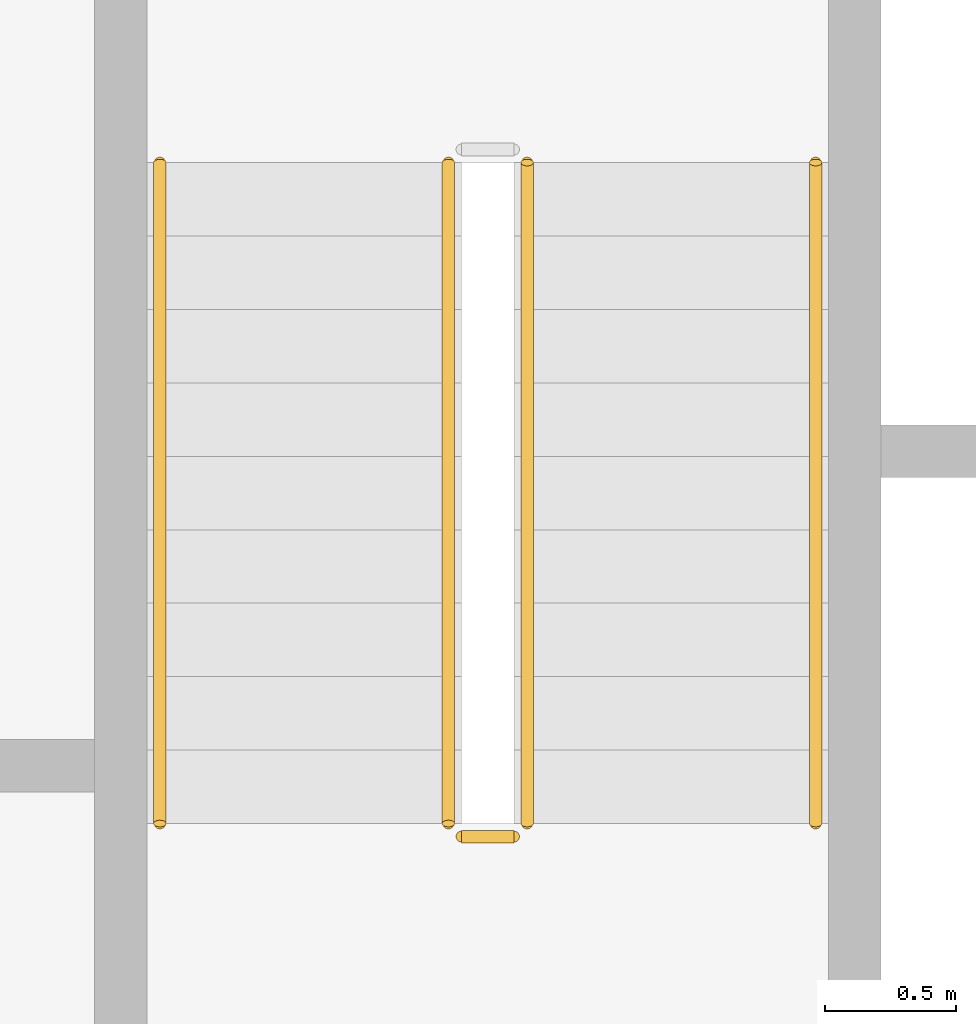
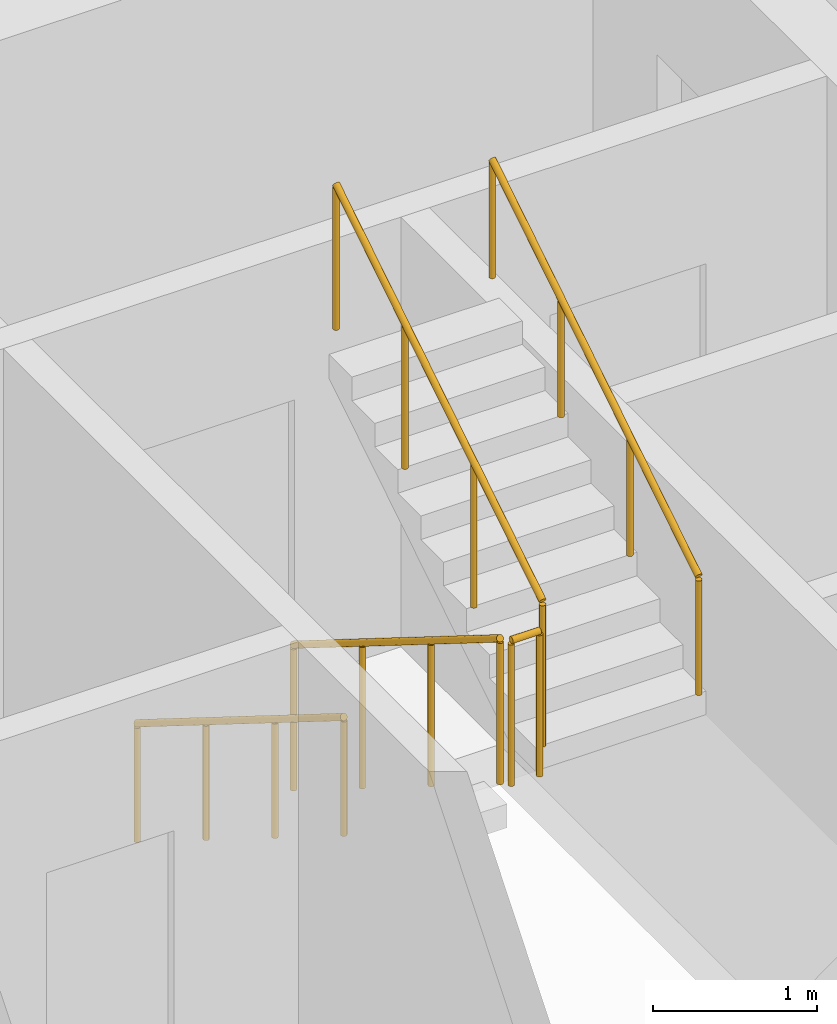
# One storey, part 15 of 22: 5 railings.
"""IFC4 building model written with IfcOpenShell, lengths in metres."""

from ifc_helpers import new_model, si_unit, direction, frame, origin, origin_2d, place, context, subcontext, project, spatial, circle, extrude, material, type_object, element, save


model = new_model("IFC4")

# Units and contexts
model_context = context("Model", 3, precision=1e-05, world=origin(), true_north=direction((0.0, 1.0)))
body_context = subcontext(model_context, "Body", "Model", "MODEL_VIEW")
ifc_project = project(units=[si_unit("LENGTHUNIT", "METRE"), si_unit("AREAUNIT", "SQUARE_METRE"), si_unit("VOLUMEUNIT", "CUBIC_METRE"), si_unit("PLANEANGLEUNIT", "RADIAN"), si_unit("MASSUNIT", "GRAM", prefix="KILO")], contexts=[model_context])

# Site, building, storey
site_placement = place(None, origin())
site = spatial("IfcSite", under=ifc_project, at=site_placement, CompositionType="ELEMENT")
building_placement = place(site_placement, origin())
building = spatial("IfcBuilding", under=site, at=building_placement, Name="Kiln Ring Residences", CompositionType="ELEMENT")
storey_placement = place(building_placement, frame((0.0, 0.0, 160.60009765625)))
storey = spatial("IfcBuildingStorey", under=building, at=storey_placement, Name="L41", CompositionType="ELEMENT", Elevation=160.60009765625)

# Railings
ifc_material_1 = material(Name="Stainless steel", Category="steel")
railing_type_1 = type_object("IfcRailingType", Name="CORE-STAIR-GUARD", PredefinedType="GUARDRAIL", material=ifc_material_1)
railing_1_placement = place(storey_placement, frame((-22.25, 8.39990234375, 0.1748046875)))
element("IfcRailing", 1, at=railing_1_placement, inside=storey, type_object=railing_type_1, Name="L41 W-STN stair guard 1", PredefinedType="GUARDRAIL", context=body_context, shape_type="SweptSolid", body=[
    extrude(circle(Radius=0.02392578125, at=origin_2d()), frame((0.0, 0.0, 1.076171875), z_axis=(0.0, -0.847970611238, 0.530043245855), x_axis=(1.0, 0.0, 0.0)), (0.0, 0.0, 1.0), 2.971923828125),
    extrude(circle(Radius=0.02099609375, at=origin_2d()), origin(), (0.0, 0.0, 1.0), 1.052001953125),
    extrude(circle(Radius=0.02099609375, at=origin_2d()), frame((0.0, -0.840087890625, 0.525146484375)), (0.0, 0.0, 1.0), 1.052001953125),
    extrude(circle(Radius=0.02099609375, at=origin_2d()), frame((0.0, -1.679931640625, 1.050048828125)), (0.0, 0.0, 1.0), 1.052001953125),
    extrude(circle(Radius=0.02099609375, at=origin_2d()), frame((0.0, -2.52001953125, 1.5751953125)), (0.0, 0.0, 1.0), 1.052001953125),
])
railing_2_placement = place(storey_placement, frame((-22.199951171875, 5.830078125, 1.75)))
element("IfcRailing", 2, at=railing_2_placement, inside=storey, type_object=railing_type_1, Name="L41 W-STN stair guard 2", PredefinedType="GUARDRAIL", context=body_context, shape_type="SweptSolid", body=[
    extrude(circle(Radius=0.02392578125, at=origin_2d()), frame((0.0, 0.0, 1.076171875), z_axis=(1.0, 0.0, 0.0), x_axis=(0.0, 1.0, 0.0)), (0.0, 0.0, 1.0), 0.199951171875),
    extrude(circle(Radius=0.02099609375, at=origin_2d()), origin(), (0.0, 0.0, 1.0), 1.052001953125),
    extrude(circle(Radius=0.02099609375, at=origin_2d()), frame((0.199951171875, 0.0, 0.0)), (0.0, 0.0, 1.0), 1.052001953125),
])
railing_3_placement = place(storey_placement, frame((-21.949951171875, 5.8798828125, 1.9248046875)))
element("IfcRailing", 3, at=railing_3_placement, inside=storey, type_object=railing_type_1, Name="L41 W-STN stair guard 3", PredefinedType="GUARDRAIL", context=body_context, shape_type="SweptSolid", body=[
    extrude(circle(Radius=0.02392578125, at=origin_2d()), frame((0.0, 0.0, 1.076171875), z_axis=(0.0, 0.847970611238, 0.530043245855), x_axis=(-1.0, 0.0, 0.0)), (0.0, 0.0, 1.0), 2.971923828125),
    extrude(circle(Radius=0.02099609375, at=origin_2d()), origin(), (0.0, 0.0, 1.0), 1.052001953125),
    extrude(circle(Radius=0.02099609375, at=origin_2d()), frame((0.0, 0.840087890625, 0.525146484375)), (0.0, 0.0, 1.0), 1.052001953125),
    extrude(circle(Radius=0.02099609375, at=origin_2d()), frame((0.0, 1.679931640625, 1.050048828125)), (0.0, 0.0, 1.0), 1.052001953125),
    extrude(circle(Radius=0.02099609375, at=origin_2d()), frame((0.0, 2.52001953125, 1.5751953125)), (0.0, 0.0, 1.0), 1.052001953125),
])
ifc_material_2 = material(Name="Stainless steel", Category="steel")
railing_type_2 = type_object("IfcRailingType", Name="CORE-STAIR-HANDRAIL", PredefinedType="HANDRAIL", material=ifc_material_2)
railing_4_placement = place(storey_placement, frame((-23.35009765625, 8.39990234375, 0.1748046875)))
element("IfcRailing", 4, at=railing_4_placement, inside=storey, type_object=railing_type_2, Name="L41 W-STN stair handrail 1", PredefinedType="HANDRAIL", context=body_context, shape_type="SweptSolid", body=[
    extrude(circle(Radius=0.02392578125, at=origin_2d()), frame((0.0, 0.0, 0.8759765625), z_axis=(0.0, -0.847970611238, 0.530043245855), x_axis=(1.0, 0.0, 0.0)), (0.0, 0.0, 1.0), 2.971923828125),
    extrude(circle(Radius=0.02099609375, at=origin_2d()), origin(), (0.0, 0.0, 1.0), 0.851806640625),
    extrude(circle(Radius=0.02099609375, at=origin_2d()), frame((0.0, -0.840087890625, 0.525146484375)), (0.0, 0.0, 1.0), 0.851806640625),
    extrude(circle(Radius=0.02099609375, at=origin_2d()), frame((0.0, -1.679931640625, 1.050048828125)), (0.0, 0.0, 1.0), 0.851806640625),
    extrude(circle(Radius=0.02099609375, at=origin_2d()), frame((0.0, -2.52001953125, 1.5751953125)), (0.0, 0.0, 1.0), 0.851806640625),
])
railing_5_placement = place(storey_placement, frame((-20.85009765625, 5.8798828125, 1.9248046875)))
element("IfcRailing", 5, at=railing_5_placement, inside=storey, type_object=railing_type_2, Name="L41 W-STN stair handrail 2", PredefinedType="HANDRAIL", context=body_context, shape_type="SweptSolid", body=[
    extrude(circle(Radius=0.02392578125, at=origin_2d()), frame((0.0, 0.0, 0.8759765625), z_axis=(0.0, 0.847970611238, 0.530043245855), x_axis=(-1.0, 0.0, 0.0)), (0.0, 0.0, 1.0), 2.971923828125),
    extrude(circle(Radius=0.02099609375, at=origin_2d()), origin(), (0.0, 0.0, 1.0), 0.851806640625),
    extrude(circle(Radius=0.02099609375, at=origin_2d()), frame((0.0, 0.840087890625, 0.525146484375)), (0.0, 0.0, 1.0), 0.851806640625),
    extrude(circle(Radius=0.02099609375, at=origin_2d()), frame((0.0, 1.679931640625, 1.050048828125)), (0.0, 0.0, 1.0), 0.851806640625),
    extrude(circle(Radius=0.02099609375, at=origin_2d()), frame((0.0, 2.52001953125, 1.5751953125)), (0.0, 0.0, 1.0), 0.851806640625),
])

save(model, "model.ifc")
